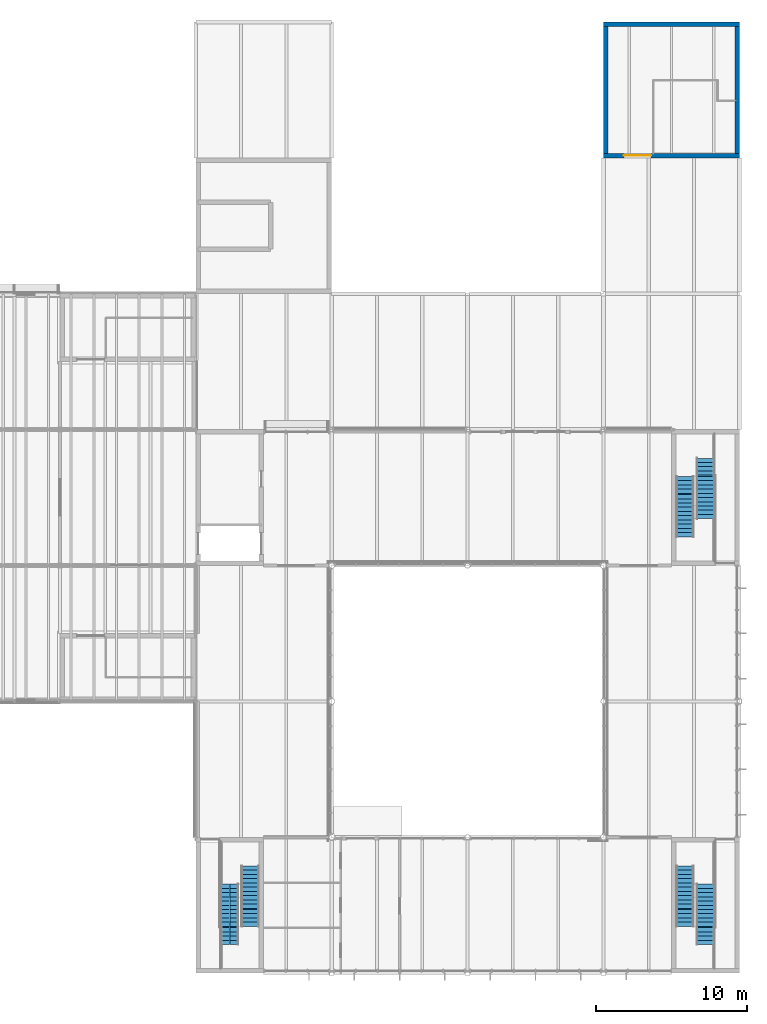
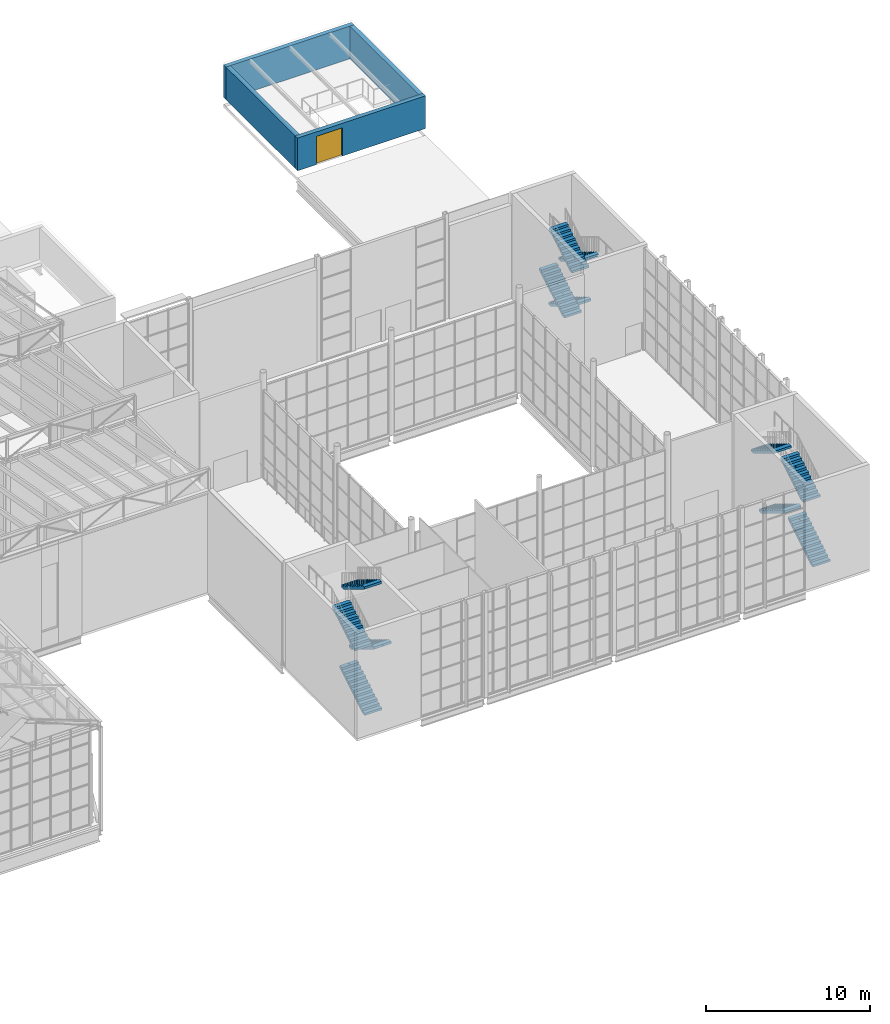
# One storey, part 77 of 90: 12 stair flights, 4 walls, 1 door, 1 opening, 3 elements without a shape of their own.
"""IFC4 building model written with IfcOpenShell, lengths in metres."""

import ifcopenshell
import ifcopenshell.guid

model = None  # the IFC model being written
_history = None  # IfcOwnerHistory: only IFC2X3 demands one
_inside = {}  # id of a spatial element -> (the spatial element, [elements in it])
_under = {}  # id of a project, library or spatial element -> (it, [spatial elements below it])
_declared = {}  # id of a project -> (the project, [libraries it declares])
_typed = {}  # id of a type object -> (the type object, [elements of that type])
_made_of = {}  # id of a material, layer set ... -> (it, [elements and type objects made of it])


def new_model(schema):
    """Start an empty IFC model of exactly this schema.

    Asked for "IFC4X3", IfcOpenShell would pick the latest addendum, in which some entities
    have other attributes; the version numbers below select the first issue.
    IFC2X3 requires an IfcOwnerHistory on every rooted entity: one is made here for all.
    """
    global model, _history
    if schema == "IFC4X3":
        model = ifcopenshell.file(schema_version=(4, 3, 0, 0))
    else:
        model = ifcopenshell.file(schema=schema)
    _inside.clear()
    _under.clear()
    _declared.clear()
    _typed.clear()
    _made_of.clear()
    _history = None
    if model.schema == "IFC2X3":
        org = make("IfcOrganization", Name="unknown")
        user = make(
            "IfcPersonAndOrganization",
            ThePerson=make("IfcPerson", FamilyName="unknown"),
            TheOrganization=org,
        )
        app = make(
            "IfcApplication",
            ApplicationDeveloper=org,
            Version="unknown",
            ApplicationFullName="unknown",
            ApplicationIdentifier="unknown",
        )
        _history = make(
            "IfcOwnerHistory",
            OwningUser=user,
            OwningApplication=app,
            ChangeAction="ADDED",
            CreationDate=0,
        )
    return model


def make(cls, **values):
    """One entity of the class cls with the attributes given. An attribute that is None is left unset."""
    return model.create_entity(
        cls, **{name: value for name, value in values.items() if value is not None}
    )


def rooted(cls, **values):
    """An entity with a GlobalId (a new one), such as an element, a storey or a relation."""
    return make(cls, GlobalId=ifcopenshell.guid.new(), OwnerHistory=_history, **values)


def si_unit(unit_type, name, prefix=None):
    """IfcSIUnit, for example si_unit("LENGTHUNIT", "METRE", prefix="MILLI")."""
    return make("IfcSIUnit", UnitType=unit_type, Prefix=prefix, Name=name)


def assignment(units):
    """IfcUnitAssignment: the units of a project."""
    return None if units is None else make("IfcUnitAssignment", Units=units)


def point(xyz):
    """IfcCartesianPoint."""
    return None if xyz is None else make("IfcCartesianPoint", Coordinates=xyz)


def direction(xyz):
    """IfcDirection."""
    return None if xyz is None else make("IfcDirection", DirectionRatios=xyz)


def frame(location, z_axis=None, x_axis=None):
    """IfcAxis2Placement3D, a coordinate frame: its origin and axes. An axis left out is left unset."""
    return make(
        "IfcAxis2Placement3D",
        Location=point(location),
        Axis=direction(z_axis),
        RefDirection=direction(x_axis),
    )


def frame_2d(location, x_axis=None):
    """IfcAxis2Placement2D, a coordinate frame in the plane: its origin and x axis."""
    return make(
        "IfcAxis2Placement2D", Location=point(location), RefDirection=direction(x_axis)
    )


def origin():
    """The frame at (0, 0, 0) with its axes left unset."""
    return frame((0.0, 0.0, 0.0))


def place(relative_to, where):
    """IfcLocalPlacement: puts the frame where relative to a parent placement (None: the world)."""
    return make(
        "IfcLocalPlacement", PlacementRelTo=relative_to, RelativePlacement=where
    )


def context(
    kind, dimensions, precision=None, world=None, true_north=None, identifier=None
):
    """IfcGeometricRepresentationContext, for example the 3D "Model" context."""
    return make(
        "IfcGeometricRepresentationContext",
        ContextIdentifier=identifier,
        ContextType=kind,
        CoordinateSpaceDimension=dimensions,
        Precision=precision,
        WorldCoordinateSystem=world,
        TrueNorth=true_north,
    )


def subcontext(parent, identifier, kind, view, scale=None):
    """IfcGeometricRepresentationSubContext, for example "Body" below "Model"."""
    return make(
        "IfcGeometricRepresentationSubContext",
        ContextIdentifier=identifier,
        ContextType=kind,
        ParentContext=parent,
        TargetScale=scale,
        TargetView=view,
    )


def project(units=None, contexts=None):
    """IfcProject with its units and contexts."""
    return rooted(
        "IfcProject",
        Name="project",
        RepresentationContexts=contexts,
        UnitsInContext=assignment(units),
    )


def spatial(cls, under=None, at=None, **own):
    """A site, building, storey or space (cls), placed at a placement, below another one or the project."""
    s = rooted(cls, ObjectPlacement=at, **own)
    if under is not None:
        _under.setdefault(under.id(), (under, []))[1].append(s)
    return s


def polyline(points):
    """IfcPolyline through the points."""
    return make("IfcPolyline", Points=[point(p) for p in points])


def profile(cls, at=None, kind="AREA", **sizes):
    """A parametric profile (cls). Its sizes go by their IFC names, for example OverallWidth=200.0."""
    return make(cls, ProfileType=kind, Position=at, **sizes)


def rectangle(**sizes):
    """IfcRectangleProfileDef."""
    return profile("IfcRectangleProfileDef", **sizes)


def outline(outer, holes=None, kind="AREA"):
    """IfcArbitraryClosedProfileDef: a profile drawn as a closed curve; with holes, ...WithVoids."""
    if holes is None:
        return make("IfcArbitraryClosedProfileDef", ProfileType=kind, OuterCurve=outer)
    return make(
        "IfcArbitraryProfileDefWithVoids",
        ProfileType=kind,
        OuterCurve=outer,
        InnerCurves=holes,
    )


def extrude(swept, where, along, depth):
    """IfcExtrudedAreaSolid: the profile swept, set in the frame where, extruded along a direction by depth."""
    return make(
        "IfcExtrudedAreaSolid",
        SweptArea=swept,
        Position=where,
        ExtrudedDirection=direction(along),
        Depth=depth,
    )


def shape(context_of_items, identifier, shape_type, items):
    """IfcShapeRepresentation: the items that make up one representation, for example the "Body"."""
    return make(
        "IfcShapeRepresentation",
        ContextOfItems=context_of_items,
        RepresentationIdentifier=identifier,
        RepresentationType=shape_type,
        Items=items,
    )


def material(Name=None, Category=None):
    """IfcMaterial."""
    return make("IfcMaterial", Name=Name, Category=Category)


def layer(
    of_material, thickness, ventilated=None, Name=None, Category=None, Priority=None
):
    """IfcMaterialLayer: one layer of a wall or slab, of a material (None: an air gap)."""
    return make(
        "IfcMaterialLayer",
        Material=of_material,
        LayerThickness=thickness,
        IsVentilated=ventilated,
        Name=Name,
        Category=Category,
        Priority=Priority,
    )


def layer_set(layers, Name=None):
    """IfcMaterialLayerSet."""
    return make("IfcMaterialLayerSet", MaterialLayers=layers, LayerSetName=Name)


def made_of(thing, what):
    """Note that an element or type object is made of a material, layer set ...; save() writes the relation."""
    if what is not None:
        _made_of.setdefault(what.id(), (what, []))[1].append(thing)
    return thing


def type_object(cls, material=None, **own):
    """A type object (cls), such as IfcWallType, which elements share."""
    return made_of(rooted(cls, **own), material)


def element(
    cls,
    number,
    at=None,
    inside=None,
    cuts=None,
    type_object=None,
    material=None,
    context=None,
    identifier="Body",
    shape_type=None,
    held_by="IfcProductDefinitionShape",
    body=None,
    shapes=None,
    **own,
):
    """One element of the class cls, such as IfcWall. Its Tag is "e" and its number.

    at: its placement. inside: the storey or other place that contains it. cuts: it is an
    opening in that element (IfcRelVoidsElement). A single representation is given by context,
    identifier, shape_type and body (its items); several are given by shapes. held_by: the class
    of the entity that holds the representations. save() writes the other relations.
    """
    e = rooted(cls, Tag="e%d" % number, ObjectPlacement=at, **own)
    if body is not None:
        shapes = [shape(context, identifier, shape_type, body)]
    if shapes is not None:
        e.Representation = make(held_by, Representations=shapes)
    if inside is not None:
        _inside.setdefault(inside.id(), (inside, []))[1].append(e)
    if cuts is not None:
        rooted(
            "IfcRelVoidsElement", RelatingBuildingElement=cuts, RelatedOpeningElement=e
        )
    if type_object is not None:
        _typed.setdefault(type_object.id(), (type_object, []))[1].append(e)
    return made_of(e, material)


def fill(opening, filler):
    """IfcRelFillsElement: the door or window that sits in an opening."""
    return rooted(
        "IfcRelFillsElement",
        RelatingOpeningElement=opening,
        RelatedBuildingElement=filler,
    )


def aggregate(whole, parts):
    """IfcRelAggregates: a whole, such as a stair, and the parts it consists of."""
    return rooted("IfcRelAggregates", RelatingObject=whole, RelatedObjects=parts)


def save(model, path):
    """Write the relations noted so far, then the file.

    IfcRelAggregates (storeys below a building ...), IfcRelContainedInSpatialStructure (elements
    in a storey), IfcRelDefinesByType, IfcRelAssociatesMaterial and IfcRelDeclares: one each for
    every whole, place, type object, material and project.
    """
    for whole, parts in _under.values():
        aggregate(whole, parts)
    for where, things in _inside.values():
        rooted(
            "IfcRelContainedInSpatialStructure",
            RelatedElements=things,
            RelatingStructure=where,
        )
    for kind, things in _typed.values():
        rooted("IfcRelDefinesByType", RelatedObjects=things, RelatingType=kind)
    for what, things in _made_of.values():
        rooted("IfcRelAssociatesMaterial", RelatedObjects=things, RelatingMaterial=what)
    for by, libraries in _declared.values():
        rooted("IfcRelDeclares", RelatingContext=by, RelatedDefinitions=libraries)
    model.write(path)


model = new_model("IFC4")

# Units and contexts
model_context = context("Model", 3, precision=1e-05, world=origin(), true_north=direction((0.0, 1.0)))
body_context = subcontext(model_context, "Body", "Model", "MODEL_VIEW")
ifc_project = project(units=[si_unit("LENGTHUNIT", "METRE"), si_unit("AREAUNIT", "SQUARE_METRE"), si_unit("VOLUMEUNIT", "CUBIC_METRE"), si_unit("PLANEANGLEUNIT", "RADIAN"), si_unit("MASSUNIT", "GRAM", prefix="KILO")], contexts=[model_context])

# Site, building, storey
site_placement = place(None, origin())
site = spatial("IfcSite", under=ifc_project, at=site_placement, CompositionType="ELEMENT")
building_placement = place(site_placement, origin())
building = spatial("IfcBuilding", under=site, at=building_placement, Name="Halyard Row Museum", CompositionType="ELEMENT")
storey_placement = place(building_placement, frame((0.0, 0.0, 13.39990234375)))
storey = spatial("IfcBuildingStorey", under=building, at=storey_placement, Name="L03", CompositionType="ELEMENT", Elevation=13.39990234375)

# Wall, opening, door
ifc_material_1 = material(Name="Concrete 40 MPa", Category="concrete")
ifc_layer = layer(ifc_material_1, 0.300048828125)
ifc_layer_set = layer_set([ifc_layer], Name="Concrete 40 MPa")
wall_type = type_object("IfcWallType", Name="Exitway wall 300 reinforced concrete", PredefinedType="SOLIDWALL", material=ifc_layer_set)
wall_1_placement = place(storey_placement, frame((99.0, 54.14990234375, 0.0), z_axis=(0.0, 0.0, 1.0), x_axis=(1.0, 0.0, 0.0)))
wall_1 = element("IfcWall", 1, at=wall_1_placement, inside=storey, type_object=wall_type, Name="Core wall K5B S L03", PredefinedType="SOLIDWALL", context=body_context, shape_type="SweptSolid", body=[
    extrude(rectangle(XDim=9.0, YDim=0.300048828125, at=frame_2d((4.5, 0.0))), origin(), (0.0, 0.0, 1.0), 2.43505859375),
])
opening_placement = place(wall_1_placement, frame((1.35009765625, 0.0, 0.0)))
opening = element("IfcOpeningElement", 2, at=opening_placement, cuts=wall_1, Name="Opening DL03-008", PredefinedType="OPENING", context=body_context, shape_type="SweptSolid", body=[
    extrude(rectangle(XDim=1.800048828125, YDim=2.10009765625, at=frame_2d((0.89990234375, 1.050048828125))), frame((0.0, 0.159912109375, 0.0), z_axis=(0.0, -1.0, 0.0), x_axis=(1.0, 0.0, 0.0)), (0.0, 0.0, 1.0), 0.320068359375),
])
ifc_material_2 = material(Name="Fire-resisting timber door leaf and steel frame", Category="steel")
door_type = type_object("IfcDoorType", Name="Exitway door 1800 x 2100 fire rated", OperationType="NOTDEFINED", PredefinedType="DOOR", material=ifc_material_2)
door_placement = place(opening_placement, origin())
door = element("IfcDoor", 3, at=door_placement, inside=storey, type_object=door_type, Name="Exitway door K5B roof garden", OperationType="DOUBLE_DOOR_SINGLE_SWING", OverallHeight=2.10009765625, OverallWidth=1.800048828125, PredefinedType="DOOR", context=body_context, shape_type="SweptSolid", body=[
    extrude(rectangle(XDim=1.800048828125, YDim=2.10009765625, at=frame_2d((0.89990234375, 1.050048828125))), frame((0.0, 0.02490234375, 0.0), z_axis=(0.0, -1.0, 0.0), x_axis=(1.0, 0.0, 0.0)), (0.0, 0.0, 1.0), 0.050048828125),
])
fill(opening, door)

# Walls
wall_2_placement = place(storey_placement, frame((107.85009765625, 54.300048828125, 0.0), z_axis=(0.0, 0.0, 1.0), x_axis=(0.0, 1.0, 0.0)))
element("IfcWall", 4, at=wall_2_placement, inside=storey, type_object=wall_type, Name="Core wall K5B E L03", PredefinedType="SOLIDWALL", context=body_context, shape_type="SweptSolid", body=[
    extrude(rectangle(XDim=8.39990234375, YDim=0.300048828125, at=frame_2d((4.199951171875, 0.0))), origin(), (0.0, 0.0, 1.0), 2.43505859375),
])
wall_3_placement = place(storey_placement, frame((99.0, 62.85009765625, 0.0), z_axis=(0.0, 0.0, 1.0), x_axis=(1.0, 0.0, 0.0)))
element("IfcWall", 5, at=wall_3_placement, inside=storey, type_object=wall_type, Name="Core wall K5B N L03", PredefinedType="SOLIDWALL", context=body_context, shape_type="SweptSolid", body=[
    extrude(rectangle(XDim=9.0, YDim=0.300048828125, at=frame_2d((4.5, 0.0))), origin(), (0.0, 0.0, 1.0), 2.43505859375),
])
wall_4_placement = place(storey_placement, frame((99.14990234375, 54.300048828125, 0.0), z_axis=(0.0, 0.0, 1.0), x_axis=(0.0, 1.0, 0.0)))
element("IfcWall", 6, at=wall_4_placement, inside=storey, type_object=wall_type, Name="Core wall K5B W L03", PredefinedType="SOLIDWALL", context=body_context, shape_type="SweptSolid", body=[
    extrude(rectangle(XDim=8.39990234375, YDim=0.300048828125, at=frame_2d((4.199951171875, 0.0))), origin(), (0.0, 0.0, 1.0), 2.43505859375),
])

# Stair, stair flights
ifc_material_3 = material(Name="Concrete 40 MPa", Category="concrete")
stair_type = type_object("IfcStairType", Name="Exit stair four flights 1200", PredefinedType="DOUBLE_RETURN_STAIR", material=ifc_material_3)
stair_1_placement = place(storey_placement, origin())
stair_1 = element("IfcStair", 7, at=stair_1_placement, inside=storey, type_object=stair_type, Name="Exit stair K2A L03", PredefinedType="DOUBLE_RETURN_STAIR")
ifc_material_4 = material(Name="Concrete 40 MPa", Category="concrete")
stair_flight_type = type_object("IfcStairFlightType", Name="Exit stair flight 1200", PredefinedType="STRAIGHT", material=ifc_material_4)
stair_flight_1_placement = place(storey_placement, frame((74.25, 1.89990234375, 0.0), z_axis=(0.0, 0.0, 1.0), x_axis=(0.0, 1.0, 0.0)))
stair_flight_1 = element("IfcStairFlight", 8, at=stair_flight_1_placement, type_object=stair_flight_type, Name="STK2A-L03 flight 1", NumberOfRisers=12, NumberOfTreads=11, PredefinedType="STRAIGHT", RiserHeight=0.169565217, TreadLength=0.28, context=body_context, shape_type="SweptSolid", body=[
    extrude(outline(polyline([(0.0, 0.0), (0.0, 0.169677734375), (0.280029296875, 0.169677734375), (0.280029296875, 0.339111328125), (0.56005859375, 0.339111328125), (0.56005859375, 0.5087890625), (0.840087890625, 0.5087890625), (0.840087890625, 0.67822265625), (1.1201171875, 0.67822265625), (1.1201171875, 0.847900390625), (1.39990234375, 0.847900390625), (1.39990234375, 1.017333984375), (1.679931640625, 1.017333984375), (1.679931640625, 1.18701171875), (1.9599609375, 1.18701171875), (1.9599609375, 1.3564453125), (2.239990234375, 1.3564453125), (2.239990234375, 1.526123046875), (2.52001953125, 1.526123046875), (2.52001953125, 1.695556640625), (2.800048828125, 1.695556640625), (2.800048828125, 1.865234375), (3.080078125, 1.865234375), (3.080078125, 2.03466796875), (3.080078125, 1.68994140625), (0.289306640625, 0.0), (0.0, 0.0)])), frame((0.0, 0.60009765625, 0.0), z_axis=(0.0, -1.0, 0.0), x_axis=(1.0, 0.0, 0.0)), (0.0, 0.0, 1.0), 0.59912109375),
    extrude(outline(polyline([(0.0, 0.0), (0.0, 0.169677734375), (0.280029296875, 0.169677734375), (0.280029296875, 0.339111328125), (0.56005859375, 0.339111328125), (0.56005859375, 0.5087890625), (0.840087890625, 0.5087890625), (0.840087890625, 0.67822265625), (1.1201171875, 0.67822265625), (1.1201171875, 0.847900390625), (1.39990234375, 0.847900390625), (1.39990234375, 1.017333984375), (1.679931640625, 1.017333984375), (1.679931640625, 1.18701171875), (1.9599609375, 1.18701171875), (1.9599609375, 1.3564453125), (2.239990234375, 1.3564453125), (2.239990234375, 1.526123046875), (2.52001953125, 1.526123046875), (2.52001953125, 1.695556640625), (2.800048828125, 1.695556640625), (2.800048828125, 1.865234375), (3.080078125, 1.865234375), (3.080078125, 2.03466796875), (3.080078125, 1.68994140625), (0.289306640625, 0.0), (0.0, 0.0)])), frame((0.0, -0.0009765625, 0.0), z_axis=(0.0, -1.0, 0.0), x_axis=(1.0, 0.0, 0.0)), (0.0, 0.0, 1.0), 0.59912109375),
])
stair_flight_2_placement = place(storey_placement, frame((75.60009765625, 6.179931640625, 2.034912109375), z_axis=(0.0, 0.0, 1.0), x_axis=(0.0, -1.0, 0.0)))
stair_flight_2 = element("IfcStairFlight", 9, at=stair_flight_2_placement, type_object=stair_flight_type, Name="STK2A-L03 flight 2", NumberOfRisers=12, NumberOfTreads=11, PredefinedType="STRAIGHT", RiserHeight=0.169565217, TreadLength=0.28, context=body_context, shape_type="SweptSolid", body=[
    extrude(outline(polyline([(0.0, 0.0), (0.0, 0.169677734375), (0.280029296875, 0.169677734375), (0.280029296875, 0.339111328125), (0.56005859375, 0.339111328125), (0.56005859375, 0.5087890625), (0.840087890625, 0.5087890625), (0.840087890625, 0.67822265625), (1.1201171875, 0.67822265625), (1.1201171875, 0.847900390625), (1.39990234375, 0.847900390625), (1.39990234375, 1.017333984375), (1.679931640625, 1.017333984375), (1.679931640625, 1.18701171875), (1.9599609375, 1.18701171875), (1.9599609375, 1.3564453125), (2.239990234375, 1.3564453125), (2.239990234375, 1.526123046875), (2.52001953125, 1.526123046875), (2.52001953125, 1.695556640625), (2.800048828125, 1.695556640625), (2.800048828125, 1.865234375), (3.080078125, 1.865234375), (3.080078125, 2.03466796875), (3.080078125, 1.68994140625), (0.289306640625, 0.0), (0.0, 0.0)])), frame((0.0, 0.60009765625, 0.0), z_axis=(0.0, -1.0, 0.0), x_axis=(1.0, 0.0, 0.0)), (0.0, 0.0, 1.0), 0.59912109375),
    extrude(outline(polyline([(0.0, 0.0), (0.0, 0.169677734375), (0.280029296875, 0.169677734375), (0.280029296875, 0.339111328125), (0.56005859375, 0.339111328125), (0.56005859375, 0.5087890625), (0.840087890625, 0.5087890625), (0.840087890625, 0.67822265625), (1.1201171875, 0.67822265625), (1.1201171875, 0.847900390625), (1.39990234375, 0.847900390625), (1.39990234375, 1.017333984375), (1.679931640625, 1.017333984375), (1.679931640625, 1.18701171875), (1.9599609375, 1.18701171875), (1.9599609375, 1.3564453125), (2.239990234375, 1.3564453125), (2.239990234375, 1.526123046875), (2.52001953125, 1.526123046875), (2.52001953125, 1.695556640625), (2.800048828125, 1.695556640625), (2.800048828125, 1.865234375), (3.080078125, 1.865234375), (3.080078125, 2.03466796875), (3.080078125, 1.68994140625), (0.289306640625, 0.0), (0.0, 0.0)])), frame((0.0, -0.0009765625, 0.0), z_axis=(0.0, -1.0, 0.0), x_axis=(1.0, 0.0, 0.0)), (0.0, 0.0, 1.0), 0.59912109375),
])
stair_flight_3_placement = place(storey_placement, frame((74.25, 3.10009765625, 4.069580078125), z_axis=(0.0, 0.0, 1.0), x_axis=(0.0, 1.0, 0.0)))
stair_flight_3 = element("IfcStairFlight", 10, at=stair_flight_3_placement, type_object=stair_flight_type, Name="STK2A-L03 flight 3", NumberOfRisers=11, NumberOfTreads=10, PredefinedType="STRAIGHT", RiserHeight=0.169565217, TreadLength=0.28, context=body_context, shape_type="SweptSolid", body=[
    extrude(outline(polyline([(0.0, 0.0), (0.0, 0.169677734375), (0.280029296875, 0.169677734375), (0.280029296875, 0.339111328125), (0.56005859375, 0.339111328125), (0.56005859375, 0.5087890625), (0.840087890625, 0.5087890625), (0.840087890625, 0.67822265625), (1.1201171875, 0.67822265625), (1.1201171875, 0.847900390625), (1.39990234375, 0.847900390625), (1.39990234375, 1.017333984375), (1.679931640625, 1.017333984375), (1.679931640625, 1.18701171875), (1.9599609375, 1.18701171875), (1.9599609375, 1.3564453125), (2.239990234375, 1.3564453125), (2.239990234375, 1.526123046875), (2.52001953125, 1.526123046875), (2.52001953125, 1.695556640625), (2.800048828125, 1.695556640625), (2.800048828125, 1.865234375), (2.800048828125, 1.5205078125), (0.289306640625, 0.0), (0.0, 0.0)])), frame((0.0, 0.60009765625, 0.0), z_axis=(0.0, -1.0, 0.0), x_axis=(1.0, 0.0, 0.0)), (0.0, 0.0, 1.0), 0.59912109375),
    extrude(outline(polyline([(0.0, 0.0), (0.0, 0.169677734375), (0.280029296875, 0.169677734375), (0.280029296875, 0.339111328125), (0.56005859375, 0.339111328125), (0.56005859375, 0.5087890625), (0.840087890625, 0.5087890625), (0.840087890625, 0.67822265625), (1.1201171875, 0.67822265625), (1.1201171875, 0.847900390625), (1.39990234375, 0.847900390625), (1.39990234375, 1.017333984375), (1.679931640625, 1.017333984375), (1.679931640625, 1.18701171875), (1.9599609375, 1.18701171875), (1.9599609375, 1.3564453125), (2.239990234375, 1.3564453125), (2.239990234375, 1.526123046875), (2.52001953125, 1.526123046875), (2.52001953125, 1.695556640625), (2.800048828125, 1.695556640625), (2.800048828125, 1.865234375), (2.800048828125, 1.5205078125), (0.289306640625, 0.0), (0.0, 0.0)])), frame((0.0, -0.0009765625, 0.0), z_axis=(0.0, -1.0, 0.0), x_axis=(1.0, 0.0, 0.0)), (0.0, 0.0, 1.0), 0.59912109375),
])
stair_flight_4_placement = place(storey_placement, frame((75.60009765625, 7.10009765625, 5.934814453125), z_axis=(0.0, 0.0, 1.0), x_axis=(0.0, -1.0, 0.0)))
stair_flight_4 = element("IfcStairFlight", 11, at=stair_flight_4_placement, type_object=stair_flight_type, Name="STK2A-L03 flight 4", NumberOfRisers=11, NumberOfTreads=10, PredefinedType="STRAIGHT", RiserHeight=0.169565217, TreadLength=0.28, context=body_context, shape_type="SweptSolid", body=[
    extrude(outline(polyline([(0.0, 0.0), (0.0, 0.169677734375), (0.280029296875, 0.169677734375), (0.280029296875, 0.339111328125), (0.56005859375, 0.339111328125), (0.56005859375, 0.5087890625), (0.840087890625, 0.5087890625), (0.840087890625, 0.67822265625), (1.1201171875, 0.67822265625), (1.1201171875, 0.847900390625), (1.39990234375, 0.847900390625), (1.39990234375, 1.017333984375), (1.679931640625, 1.017333984375), (1.679931640625, 1.18701171875), (1.9599609375, 1.18701171875), (1.9599609375, 1.3564453125), (2.239990234375, 1.3564453125), (2.239990234375, 1.526123046875), (2.52001953125, 1.526123046875), (2.52001953125, 1.695556640625), (2.800048828125, 1.695556640625), (2.800048828125, 1.865234375), (2.800048828125, 1.5205078125), (0.289306640625, 0.0), (0.0, 0.0)])), frame((0.0, 0.60009765625, 0.0), z_axis=(0.0, -1.0, 0.0), x_axis=(1.0, 0.0, 0.0)), (0.0, 0.0, 1.0), 0.59912109375),
    extrude(outline(polyline([(0.0, 0.0), (0.0, 0.169677734375), (0.280029296875, 0.169677734375), (0.280029296875, 0.339111328125), (0.56005859375, 0.339111328125), (0.56005859375, 0.5087890625), (0.840087890625, 0.5087890625), (0.840087890625, 0.67822265625), (1.1201171875, 0.67822265625), (1.1201171875, 0.847900390625), (1.39990234375, 0.847900390625), (1.39990234375, 1.017333984375), (1.679931640625, 1.017333984375), (1.679931640625, 1.18701171875), (1.9599609375, 1.18701171875), (1.9599609375, 1.3564453125), (2.239990234375, 1.3564453125), (2.239990234375, 1.526123046875), (2.52001953125, 1.526123046875), (2.52001953125, 1.695556640625), (2.800048828125, 1.695556640625), (2.800048828125, 1.865234375), (2.800048828125, 1.5205078125), (0.289306640625, 0.0), (0.0, 0.0)])), frame((0.0, -0.0009765625, 0.0), z_axis=(0.0, -1.0, 0.0), x_axis=(1.0, 0.0, 0.0)), (0.0, 0.0, 1.0), 0.59912109375),
])
aggregate(stair_1, [stair_flight_1, stair_flight_2, stair_flight_3, stair_flight_4])

stair_2_placement = place(storey_placement, origin())
stair_2 = element("IfcStair", 12, at=stair_2_placement, inside=storey, type_object=stair_type, Name="Exit stair K2B L03", PredefinedType="DOUBLE_RETURN_STAIR")
stair_flight_5_placement = place(storey_placement, frame((105.75, 1.89990234375, 0.0), z_axis=(0.0, 0.0, 1.0), x_axis=(0.0, 1.0, 0.0)))
stair_flight_5 = element("IfcStairFlight", 13, at=stair_flight_5_placement, type_object=stair_flight_type, Name="STK2B-L03 flight 1", NumberOfRisers=12, NumberOfTreads=11, PredefinedType="STRAIGHT", RiserHeight=0.169565217, TreadLength=0.28, context=body_context, shape_type="SweptSolid", body=[
    extrude(outline(polyline([(0.0, 0.0), (0.0, 0.169677734375), (0.280029296875, 0.169677734375), (0.280029296875, 0.339111328125), (0.56005859375, 0.339111328125), (0.56005859375, 0.5087890625), (0.840087890625, 0.5087890625), (0.840087890625, 0.67822265625), (1.1201171875, 0.67822265625), (1.1201171875, 0.847900390625), (1.39990234375, 0.847900390625), (1.39990234375, 1.017333984375), (1.679931640625, 1.017333984375), (1.679931640625, 1.18701171875), (1.9599609375, 1.18701171875), (1.9599609375, 1.3564453125), (2.239990234375, 1.3564453125), (2.239990234375, 1.526123046875), (2.52001953125, 1.526123046875), (2.52001953125, 1.695556640625), (2.800048828125, 1.695556640625), (2.800048828125, 1.865234375), (3.080078125, 1.865234375), (3.080078125, 2.03466796875), (3.080078125, 1.68994140625), (0.289306640625, 0.0), (0.0, 0.0)])), frame((0.0, 0.60009765625, 0.0), z_axis=(0.0, -1.0, 0.0), x_axis=(1.0, 0.0, 0.0)), (0.0, 0.0, 1.0), 0.59912109375),
    extrude(outline(polyline([(0.0, 0.0), (0.0, 0.169677734375), (0.280029296875, 0.169677734375), (0.280029296875, 0.339111328125), (0.56005859375, 0.339111328125), (0.56005859375, 0.5087890625), (0.840087890625, 0.5087890625), (0.840087890625, 0.67822265625), (1.1201171875, 0.67822265625), (1.1201171875, 0.847900390625), (1.39990234375, 0.847900390625), (1.39990234375, 1.017333984375), (1.679931640625, 1.017333984375), (1.679931640625, 1.18701171875), (1.9599609375, 1.18701171875), (1.9599609375, 1.3564453125), (2.239990234375, 1.3564453125), (2.239990234375, 1.526123046875), (2.52001953125, 1.526123046875), (2.52001953125, 1.695556640625), (2.800048828125, 1.695556640625), (2.800048828125, 1.865234375), (3.080078125, 1.865234375), (3.080078125, 2.03466796875), (3.080078125, 1.68994140625), (0.289306640625, 0.0), (0.0, 0.0)])), frame((0.0, -0.0009765625, 0.0), z_axis=(0.0, -1.0, 0.0), x_axis=(1.0, 0.0, 0.0)), (0.0, 0.0, 1.0), 0.59912109375),
])
stair_flight_6_placement = place(storey_placement, frame((104.39990234375, 6.179931640625, 2.034912109375), z_axis=(0.0, 0.0, 1.0), x_axis=(0.0, -1.0, 0.0)))
stair_flight_6 = element("IfcStairFlight", 14, at=stair_flight_6_placement, type_object=stair_flight_type, Name="STK2B-L03 flight 2", NumberOfRisers=12, NumberOfTreads=11, PredefinedType="STRAIGHT", RiserHeight=0.169565217, TreadLength=0.28, context=body_context, shape_type="SweptSolid", body=[
    extrude(outline(polyline([(0.0, 0.0), (0.0, 0.169677734375), (0.280029296875, 0.169677734375), (0.280029296875, 0.339111328125), (0.56005859375, 0.339111328125), (0.56005859375, 0.5087890625), (0.840087890625, 0.5087890625), (0.840087890625, 0.67822265625), (1.1201171875, 0.67822265625), (1.1201171875, 0.847900390625), (1.39990234375, 0.847900390625), (1.39990234375, 1.017333984375), (1.679931640625, 1.017333984375), (1.679931640625, 1.18701171875), (1.9599609375, 1.18701171875), (1.9599609375, 1.3564453125), (2.239990234375, 1.3564453125), (2.239990234375, 1.526123046875), (2.52001953125, 1.526123046875), (2.52001953125, 1.695556640625), (2.800048828125, 1.695556640625), (2.800048828125, 1.865234375), (3.080078125, 1.865234375), (3.080078125, 2.03466796875), (3.080078125, 1.68994140625), (0.289306640625, 0.0), (0.0, 0.0)])), frame((0.0, 0.60009765625, 0.0), z_axis=(0.0, -1.0, 0.0), x_axis=(1.0, 0.0, 0.0)), (0.0, 0.0, 1.0), 0.59912109375),
    extrude(outline(polyline([(0.0, 0.0), (0.0, 0.169677734375), (0.280029296875, 0.169677734375), (0.280029296875, 0.339111328125), (0.56005859375, 0.339111328125), (0.56005859375, 0.5087890625), (0.840087890625, 0.5087890625), (0.840087890625, 0.67822265625), (1.1201171875, 0.67822265625), (1.1201171875, 0.847900390625), (1.39990234375, 0.847900390625), (1.39990234375, 1.017333984375), (1.679931640625, 1.017333984375), (1.679931640625, 1.18701171875), (1.9599609375, 1.18701171875), (1.9599609375, 1.3564453125), (2.239990234375, 1.3564453125), (2.239990234375, 1.526123046875), (2.52001953125, 1.526123046875), (2.52001953125, 1.695556640625), (2.800048828125, 1.695556640625), (2.800048828125, 1.865234375), (3.080078125, 1.865234375), (3.080078125, 2.03466796875), (3.080078125, 1.68994140625), (0.289306640625, 0.0), (0.0, 0.0)])), frame((0.0, -0.0009765625, 0.0), z_axis=(0.0, -1.0, 0.0), x_axis=(1.0, 0.0, 0.0)), (0.0, 0.0, 1.0), 0.59912109375),
])
stair_flight_7_placement = place(storey_placement, frame((105.75, 3.10009765625, 4.069580078125), z_axis=(0.0, 0.0, 1.0), x_axis=(0.0, 1.0, 0.0)))
stair_flight_7 = element("IfcStairFlight", 15, at=stair_flight_7_placement, type_object=stair_flight_type, Name="STK2B-L03 flight 3", NumberOfRisers=11, NumberOfTreads=10, PredefinedType="STRAIGHT", RiserHeight=0.169565217, TreadLength=0.28, context=body_context, shape_type="SweptSolid", body=[
    extrude(outline(polyline([(0.0, 0.0), (0.0, 0.169677734375), (0.280029296875, 0.169677734375), (0.280029296875, 0.339111328125), (0.56005859375, 0.339111328125), (0.56005859375, 0.5087890625), (0.840087890625, 0.5087890625), (0.840087890625, 0.67822265625), (1.1201171875, 0.67822265625), (1.1201171875, 0.847900390625), (1.39990234375, 0.847900390625), (1.39990234375, 1.017333984375), (1.679931640625, 1.017333984375), (1.679931640625, 1.18701171875), (1.9599609375, 1.18701171875), (1.9599609375, 1.3564453125), (2.239990234375, 1.3564453125), (2.239990234375, 1.526123046875), (2.52001953125, 1.526123046875), (2.52001953125, 1.695556640625), (2.800048828125, 1.695556640625), (2.800048828125, 1.865234375), (2.800048828125, 1.5205078125), (0.289306640625, 0.0), (0.0, 0.0)])), frame((0.0, 0.60009765625, 0.0), z_axis=(0.0, -1.0, 0.0), x_axis=(1.0, 0.0, 0.0)), (0.0, 0.0, 1.0), 0.59912109375),
    extrude(outline(polyline([(0.0, 0.0), (0.0, 0.169677734375), (0.280029296875, 0.169677734375), (0.280029296875, 0.339111328125), (0.56005859375, 0.339111328125), (0.56005859375, 0.5087890625), (0.840087890625, 0.5087890625), (0.840087890625, 0.67822265625), (1.1201171875, 0.67822265625), (1.1201171875, 0.847900390625), (1.39990234375, 0.847900390625), (1.39990234375, 1.017333984375), (1.679931640625, 1.017333984375), (1.679931640625, 1.18701171875), (1.9599609375, 1.18701171875), (1.9599609375, 1.3564453125), (2.239990234375, 1.3564453125), (2.239990234375, 1.526123046875), (2.52001953125, 1.526123046875), (2.52001953125, 1.695556640625), (2.800048828125, 1.695556640625), (2.800048828125, 1.865234375), (2.800048828125, 1.5205078125), (0.289306640625, 0.0), (0.0, 0.0)])), frame((0.0, -0.0009765625, 0.0), z_axis=(0.0, -1.0, 0.0), x_axis=(1.0, 0.0, 0.0)), (0.0, 0.0, 1.0), 0.59912109375),
])
stair_flight_8_placement = place(storey_placement, frame((104.39990234375, 7.10009765625, 5.934814453125), z_axis=(0.0, 0.0, 1.0), x_axis=(0.0, -1.0, 0.0)))
stair_flight_8 = element("IfcStairFlight", 16, at=stair_flight_8_placement, type_object=stair_flight_type, Name="STK2B-L03 flight 4", NumberOfRisers=11, NumberOfTreads=10, PredefinedType="STRAIGHT", RiserHeight=0.169565217, TreadLength=0.28, context=body_context, shape_type="SweptSolid", body=[
    extrude(outline(polyline([(0.0, 0.0), (0.0, 0.169677734375), (0.280029296875, 0.169677734375), (0.280029296875, 0.339111328125), (0.56005859375, 0.339111328125), (0.56005859375, 0.5087890625), (0.840087890625, 0.5087890625), (0.840087890625, 0.67822265625), (1.1201171875, 0.67822265625), (1.1201171875, 0.847900390625), (1.39990234375, 0.847900390625), (1.39990234375, 1.017333984375), (1.679931640625, 1.017333984375), (1.679931640625, 1.18701171875), (1.9599609375, 1.18701171875), (1.9599609375, 1.3564453125), (2.239990234375, 1.3564453125), (2.239990234375, 1.526123046875), (2.52001953125, 1.526123046875), (2.52001953125, 1.695556640625), (2.800048828125, 1.695556640625), (2.800048828125, 1.865234375), (2.800048828125, 1.5205078125), (0.289306640625, 0.0), (0.0, 0.0)])), frame((0.0, 0.60009765625, 0.0), z_axis=(0.0, -1.0, 0.0), x_axis=(1.0, 0.0, 0.0)), (0.0, 0.0, 1.0), 0.59912109375),
    extrude(outline(polyline([(0.0, 0.0), (0.0, 0.169677734375), (0.280029296875, 0.169677734375), (0.280029296875, 0.339111328125), (0.56005859375, 0.339111328125), (0.56005859375, 0.5087890625), (0.840087890625, 0.5087890625), (0.840087890625, 0.67822265625), (1.1201171875, 0.67822265625), (1.1201171875, 0.847900390625), (1.39990234375, 0.847900390625), (1.39990234375, 1.017333984375), (1.679931640625, 1.017333984375), (1.679931640625, 1.18701171875), (1.9599609375, 1.18701171875), (1.9599609375, 1.3564453125), (2.239990234375, 1.3564453125), (2.239990234375, 1.526123046875), (2.52001953125, 1.526123046875), (2.52001953125, 1.695556640625), (2.800048828125, 1.695556640625), (2.800048828125, 1.865234375), (2.800048828125, 1.5205078125), (0.289306640625, 0.0), (0.0, 0.0)])), frame((0.0, -0.0009765625, 0.0), z_axis=(0.0, -1.0, 0.0), x_axis=(1.0, 0.0, 0.0)), (0.0, 0.0, 1.0), 0.59912109375),
])
aggregate(stair_2, [stair_flight_5, stair_flight_6, stair_flight_7, stair_flight_8])

stair_3_placement = place(storey_placement, origin())
stair_3 = element("IfcStair", 17, at=stair_3_placement, inside=storey, type_object=stair_type, Name="Exit stair K2C L03", PredefinedType="DOUBLE_RETURN_STAIR")
stair_flight_9_placement = place(storey_placement, frame((105.75, 34.10009765625, 0.0), z_axis=(0.0, 0.0, 1.0), x_axis=(0.0, -1.0, 0.0)))
stair_flight_9 = element("IfcStairFlight", 18, at=stair_flight_9_placement, type_object=stair_flight_type, Name="STK2C-L03 flight 1", NumberOfRisers=12, NumberOfTreads=11, PredefinedType="STRAIGHT", RiserHeight=0.169565217, TreadLength=0.28, context=body_context, shape_type="SweptSolid", body=[
    extrude(outline(polyline([(0.0, 0.0), (0.0, 0.169677734375), (0.280029296875, 0.169677734375), (0.280029296875, 0.339111328125), (0.56005859375, 0.339111328125), (0.56005859375, 0.5087890625), (0.840087890625, 0.5087890625), (0.840087890625, 0.67822265625), (1.1201171875, 0.67822265625), (1.1201171875, 0.847900390625), (1.39990234375, 0.847900390625), (1.39990234375, 1.017333984375), (1.679931640625, 1.017333984375), (1.679931640625, 1.18701171875), (1.9599609375, 1.18701171875), (1.9599609375, 1.3564453125), (2.239990234375, 1.3564453125), (2.239990234375, 1.526123046875), (2.52001953125, 1.526123046875), (2.52001953125, 1.695556640625), (2.800048828125, 1.695556640625), (2.800048828125, 1.865234375), (3.080078125, 1.865234375), (3.080078125, 2.03466796875), (3.080078125, 1.68994140625), (0.289306640625, 0.0), (0.0, 0.0)])), frame((0.0, 0.60009765625, 0.0), z_axis=(0.0, -1.0, 0.0), x_axis=(1.0, 0.0, 0.0)), (0.0, 0.0, 1.0), 0.59912109375),
    extrude(outline(polyline([(0.0, 0.0), (0.0, 0.169677734375), (0.280029296875, 0.169677734375), (0.280029296875, 0.339111328125), (0.56005859375, 0.339111328125), (0.56005859375, 0.5087890625), (0.840087890625, 0.5087890625), (0.840087890625, 0.67822265625), (1.1201171875, 0.67822265625), (1.1201171875, 0.847900390625), (1.39990234375, 0.847900390625), (1.39990234375, 1.017333984375), (1.679931640625, 1.017333984375), (1.679931640625, 1.18701171875), (1.9599609375, 1.18701171875), (1.9599609375, 1.3564453125), (2.239990234375, 1.3564453125), (2.239990234375, 1.526123046875), (2.52001953125, 1.526123046875), (2.52001953125, 1.695556640625), (2.800048828125, 1.695556640625), (2.800048828125, 1.865234375), (3.080078125, 1.865234375), (3.080078125, 2.03466796875), (3.080078125, 1.68994140625), (0.289306640625, 0.0), (0.0, 0.0)])), frame((0.0, -0.0009765625, 0.0), z_axis=(0.0, -1.0, 0.0), x_axis=(1.0, 0.0, 0.0)), (0.0, 0.0, 1.0), 0.59912109375),
])
stair_flight_10_placement = place(storey_placement, frame((104.39990234375, 29.820068359375, 2.034912109375), z_axis=(0.0, 0.0, 1.0), x_axis=(0.0, 1.0, 0.0)))
stair_flight_10 = element("IfcStairFlight", 19, at=stair_flight_10_placement, type_object=stair_flight_type, Name="STK2C-L03 flight 2", NumberOfRisers=12, NumberOfTreads=11, PredefinedType="STRAIGHT", RiserHeight=0.169565217, TreadLength=0.28, context=body_context, shape_type="SweptSolid", body=[
    extrude(outline(polyline([(0.0, 0.0), (0.0, 0.169677734375), (0.280029296875, 0.169677734375), (0.280029296875, 0.339111328125), (0.56005859375, 0.339111328125), (0.56005859375, 0.5087890625), (0.840087890625, 0.5087890625), (0.840087890625, 0.67822265625), (1.1201171875, 0.67822265625), (1.1201171875, 0.847900390625), (1.39990234375, 0.847900390625), (1.39990234375, 1.017333984375), (1.679931640625, 1.017333984375), (1.679931640625, 1.18701171875), (1.9599609375, 1.18701171875), (1.9599609375, 1.3564453125), (2.239990234375, 1.3564453125), (2.239990234375, 1.526123046875), (2.52001953125, 1.526123046875), (2.52001953125, 1.695556640625), (2.800048828125, 1.695556640625), (2.800048828125, 1.865234375), (3.080078125, 1.865234375), (3.080078125, 2.03466796875), (3.080078125, 1.68994140625), (0.289306640625, 0.0), (0.0, 0.0)])), frame((0.0, 0.60009765625, 0.0), z_axis=(0.0, -1.0, 0.0), x_axis=(1.0, 0.0, 0.0)), (0.0, 0.0, 1.0), 0.59912109375),
    extrude(outline(polyline([(0.0, 0.0), (0.0, 0.169677734375), (0.280029296875, 0.169677734375), (0.280029296875, 0.339111328125), (0.56005859375, 0.339111328125), (0.56005859375, 0.5087890625), (0.840087890625, 0.5087890625), (0.840087890625, 0.67822265625), (1.1201171875, 0.67822265625), (1.1201171875, 0.847900390625), (1.39990234375, 0.847900390625), (1.39990234375, 1.017333984375), (1.679931640625, 1.017333984375), (1.679931640625, 1.18701171875), (1.9599609375, 1.18701171875), (1.9599609375, 1.3564453125), (2.239990234375, 1.3564453125), (2.239990234375, 1.526123046875), (2.52001953125, 1.526123046875), (2.52001953125, 1.695556640625), (2.800048828125, 1.695556640625), (2.800048828125, 1.865234375), (3.080078125, 1.865234375), (3.080078125, 2.03466796875), (3.080078125, 1.68994140625), (0.289306640625, 0.0), (0.0, 0.0)])), frame((0.0, -0.0009765625, 0.0), z_axis=(0.0, -1.0, 0.0), x_axis=(1.0, 0.0, 0.0)), (0.0, 0.0, 1.0), 0.59912109375),
])
stair_flight_11_placement = place(storey_placement, frame((105.75, 32.89990234375, 4.069580078125), z_axis=(0.0, 0.0, 1.0), x_axis=(0.0, -1.0, 0.0)))
stair_flight_11 = element("IfcStairFlight", 20, at=stair_flight_11_placement, type_object=stair_flight_type, Name="STK2C-L03 flight 3", NumberOfRisers=11, NumberOfTreads=10, PredefinedType="STRAIGHT", RiserHeight=0.169565217, TreadLength=0.28, context=body_context, shape_type="SweptSolid", body=[
    extrude(outline(polyline([(0.0, 0.0), (0.0, 0.169677734375), (0.280029296875, 0.169677734375), (0.280029296875, 0.339111328125), (0.56005859375, 0.339111328125), (0.56005859375, 0.5087890625), (0.840087890625, 0.5087890625), (0.840087890625, 0.67822265625), (1.1201171875, 0.67822265625), (1.1201171875, 0.847900390625), (1.39990234375, 0.847900390625), (1.39990234375, 1.017333984375), (1.679931640625, 1.017333984375), (1.679931640625, 1.18701171875), (1.9599609375, 1.18701171875), (1.9599609375, 1.3564453125), (2.239990234375, 1.3564453125), (2.239990234375, 1.526123046875), (2.52001953125, 1.526123046875), (2.52001953125, 1.695556640625), (2.800048828125, 1.695556640625), (2.800048828125, 1.865234375), (2.800048828125, 1.5205078125), (0.289306640625, 0.0), (0.0, 0.0)])), frame((0.0, 0.60009765625, 0.0), z_axis=(0.0, -1.0, 0.0), x_axis=(1.0, 0.0, 0.0)), (0.0, 0.0, 1.0), 0.59912109375),
    extrude(outline(polyline([(0.0, 0.0), (0.0, 0.169677734375), (0.280029296875, 0.169677734375), (0.280029296875, 0.339111328125), (0.56005859375, 0.339111328125), (0.56005859375, 0.5087890625), (0.840087890625, 0.5087890625), (0.840087890625, 0.67822265625), (1.1201171875, 0.67822265625), (1.1201171875, 0.847900390625), (1.39990234375, 0.847900390625), (1.39990234375, 1.017333984375), (1.679931640625, 1.017333984375), (1.679931640625, 1.18701171875), (1.9599609375, 1.18701171875), (1.9599609375, 1.3564453125), (2.239990234375, 1.3564453125), (2.239990234375, 1.526123046875), (2.52001953125, 1.526123046875), (2.52001953125, 1.695556640625), (2.800048828125, 1.695556640625), (2.800048828125, 1.865234375), (2.800048828125, 1.5205078125), (0.289306640625, 0.0), (0.0, 0.0)])), frame((0.0, -0.0009765625, 0.0), z_axis=(0.0, -1.0, 0.0), x_axis=(1.0, 0.0, 0.0)), (0.0, 0.0, 1.0), 0.59912109375),
])
stair_flight_12_placement = place(storey_placement, frame((104.39990234375, 28.89990234375, 5.934814453125), z_axis=(0.0, 0.0, 1.0), x_axis=(0.0, 1.0, 0.0)))
stair_flight_12 = element("IfcStairFlight", 21, at=stair_flight_12_placement, type_object=stair_flight_type, Name="STK2C-L03 flight 4", NumberOfRisers=11, NumberOfTreads=10, PredefinedType="STRAIGHT", RiserHeight=0.169565217, TreadLength=0.28, context=body_context, shape_type="SweptSolid", body=[
    extrude(outline(polyline([(0.0, 0.0), (0.0, 0.169677734375), (0.280029296875, 0.169677734375), (0.280029296875, 0.339111328125), (0.56005859375, 0.339111328125), (0.56005859375, 0.5087890625), (0.840087890625, 0.5087890625), (0.840087890625, 0.67822265625), (1.1201171875, 0.67822265625), (1.1201171875, 0.847900390625), (1.39990234375, 0.847900390625), (1.39990234375, 1.017333984375), (1.679931640625, 1.017333984375), (1.679931640625, 1.18701171875), (1.9599609375, 1.18701171875), (1.9599609375, 1.3564453125), (2.239990234375, 1.3564453125), (2.239990234375, 1.526123046875), (2.52001953125, 1.526123046875), (2.52001953125, 1.695556640625), (2.800048828125, 1.695556640625), (2.800048828125, 1.865234375), (2.800048828125, 1.5205078125), (0.289306640625, 0.0), (0.0, 0.0)])), frame((0.0, 0.60009765625, 0.0), z_axis=(0.0, -1.0, 0.0), x_axis=(1.0, 0.0, 0.0)), (0.0, 0.0, 1.0), 0.59912109375),
    extrude(outline(polyline([(0.0, 0.0), (0.0, 0.169677734375), (0.280029296875, 0.169677734375), (0.280029296875, 0.339111328125), (0.56005859375, 0.339111328125), (0.56005859375, 0.5087890625), (0.840087890625, 0.5087890625), (0.840087890625, 0.67822265625), (1.1201171875, 0.67822265625), (1.1201171875, 0.847900390625), (1.39990234375, 0.847900390625), (1.39990234375, 1.017333984375), (1.679931640625, 1.017333984375), (1.679931640625, 1.18701171875), (1.9599609375, 1.18701171875), (1.9599609375, 1.3564453125), (2.239990234375, 1.3564453125), (2.239990234375, 1.526123046875), (2.52001953125, 1.526123046875), (2.52001953125, 1.695556640625), (2.800048828125, 1.695556640625), (2.800048828125, 1.865234375), (2.800048828125, 1.5205078125), (0.289306640625, 0.0), (0.0, 0.0)])), frame((0.0, -0.0009765625, 0.0), z_axis=(0.0, -1.0, 0.0), x_axis=(1.0, 0.0, 0.0)), (0.0, 0.0, 1.0), 0.59912109375),
])
aggregate(stair_3, [stair_flight_9, stair_flight_10, stair_flight_11, stair_flight_12])

save(model, "model.ifc")
